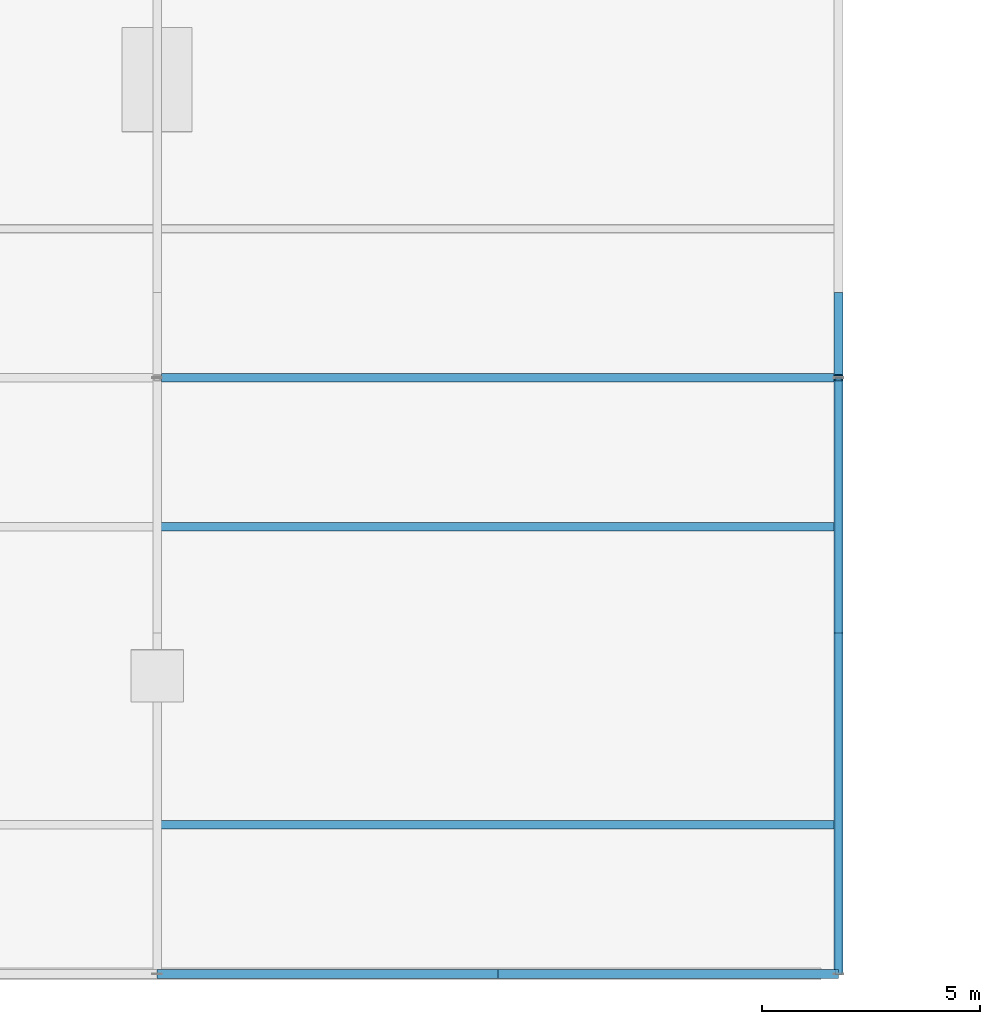
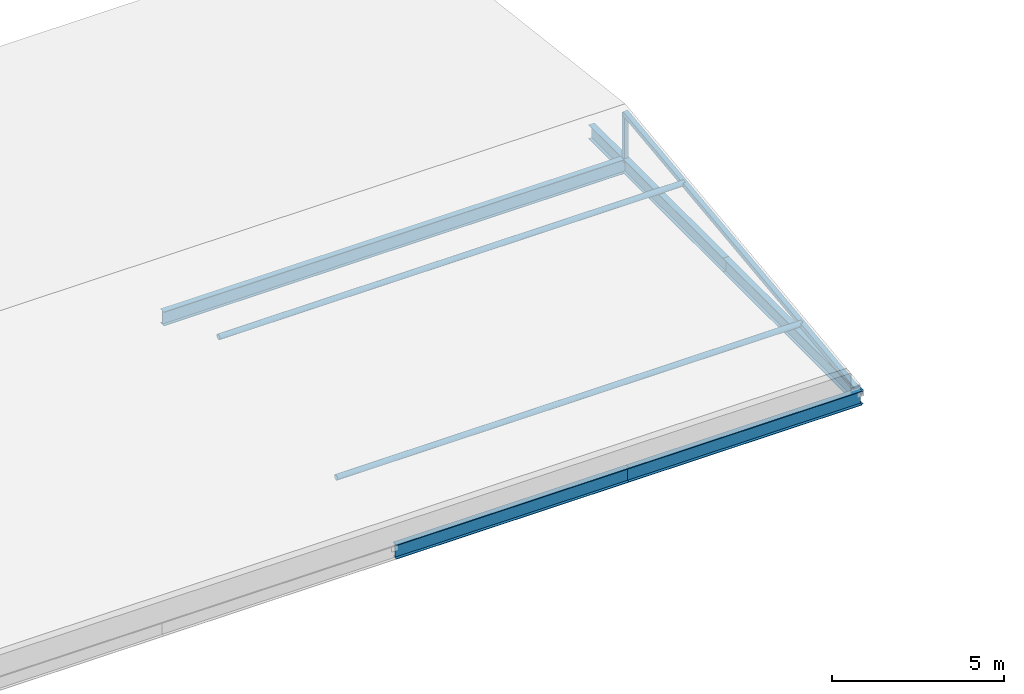
# One storey, part 3 of 21: 5 beams, 4 members.
"""IFC4 building model written with IfcOpenShell, lengths in metres."""

from ifc_helpers import new_model, si_unit, direction, frame, origin, origin_2d, place, context, subcontext, project, spatial, hollow_rectangle, hollow_circle, i_section, extrude, material, material_profile, profile_set, type_object, element, save


model = new_model("IFC4")

# Units and contexts
model_context = context("Model", 3, precision=1e-05, world=origin(), true_north=direction((0.0, 1.0)))
body_context = subcontext(model_context, "Body", "Model", "MODEL_VIEW")
ifc_project = project(units=[si_unit("LENGTHUNIT", "METRE"), si_unit("AREAUNIT", "SQUARE_METRE"), si_unit("VOLUMEUNIT", "CUBIC_METRE"), si_unit("PLANEANGLEUNIT", "RADIAN"), si_unit("MASSUNIT", "GRAM", prefix="KILO")], contexts=[model_context])

# Site, building, storey
site_placement = place(None, origin())
site = spatial("IfcSite", under=ifc_project, at=site_placement, CompositionType="ELEMENT")
building_placement = place(site_placement, origin())
building = spatial("IfcBuilding", under=site, at=building_placement, Name="Celorna Specialist Clinic", CompositionType="ELEMENT")
storey_placement = place(building_placement, frame((0.0, 0.0, 23.10009765625)))
storey = spatial("IfcBuildingStorey", under=building, at=storey_placement, Name="L05", CompositionType="ELEMENT", Elevation=23.10009765625)

# Beams
ifc_material = material(Name="Steel S355", Category="steel")
ifc_material_profile_1 = material_profile(ifc_material, i_section(OverallWidth=0.199951171875, OverallDepth=0.5, WebThickness=0.01025390625, FlangeThickness=0.01611328125, at=origin_2d()), Name="IPE 500")
ifc_profile_set_1 = profile_set([ifc_material_profile_1], Name="Steel S355")
beam_type = type_object("IfcBeamType", Name="BM-08", PredefinedType="BEAM", material=ifc_profile_set_1)
beam_1_placement = place(storey_placement, frame((15.695068359375, 13.64990234375, -0.35009765625), z_axis=(1.0, 0.0, 0.0), x_axis=(0.0, 1.0, 0.0)))
element("IfcBeam", 1, at=beam_1_placement, inside=storey, type_object=beam_type, Name="V5 roof ridge support girder", PredefinedType="BEAM", context=body_context, shape_type="SweptSolid", body=[
    extrude(i_section(OverallWidth=0.199951171875, OverallDepth=0.5, WebThickness=0.01025390625, FlangeThickness=0.01611328125, at=origin_2d()), origin(), (0.0, 0.0, 1.0), 15.5048828125),
])
for number, where, z_axis, x_axis, name in (
    (2, (31.199951171875, 0.0, -0.35009765625), (0.0, 1.0, 0.0), (-1.0, 0.0, 0.0), "V5 roof transverse girder"),
    (3, (31.199951171875, 7.800048828125, -0.35009765625), (0.0, 1.0, 0.0), (-1.0, 0.0, 0.0), "V5 roof transverse girder"),
):
    element("IfcBeam", number, at=place(storey_placement, frame(where, z_axis=z_axis, x_axis=x_axis)), inside=storey, type_object=beam_type, Name=name, PredefinedType="BEAM", context=body_context, shape_type="SweptSolid", body=[
        extrude(i_section(OverallWidth=0.199951171875, OverallDepth=0.5, WebThickness=0.01025390625, FlangeThickness=0.01611328125, at=origin_2d()), origin(), (0.0, 0.0, 1.0), 7.800048828125),
    ])
beam_2_placement = place(storey_placement, frame((15.60009765625, 0.0, -0.300048828125), z_axis=(1.0, 0.0, 0.0), x_axis=(0.0, 1.0, 0.0)))
element("IfcBeam", 4, at=beam_2_placement, inside=storey, type_object=beam_type, Name="V5 roof perimeter girder X=15.6", PredefinedType="BEAM", context=body_context, shape_type="SweptSolid", body=[
    extrude(i_section(OverallWidth=0.199951171875, OverallDepth=0.5, WebThickness=0.01025390625, FlangeThickness=0.01611328125, at=origin_2d()), origin(), (0.0, 0.0, 1.0), 7.7998046875),
])
beam_3_placement = place(storey_placement, frame((23.39990234375, 0.0, -0.300048828125), z_axis=(1.0, 0.0, 0.0), x_axis=(0.0, 1.0, 0.0)))
element("IfcBeam", 5, at=beam_3_placement, inside=storey, type_object=beam_type, Name="V5 roof perimeter girder X=23.4", PredefinedType="BEAM", context=body_context, shape_type="SweptSolid", body=[
    extrude(i_section(OverallWidth=0.199951171875, OverallDepth=0.5, WebThickness=0.01025390625, FlangeThickness=0.01611328125, at=origin_2d()), origin(), (0.0, 0.0, 1.0), 7.800048828125),
])

# Members
ifc_material_profile_2 = material_profile(ifc_material, hollow_circle(Radius=0.096923828125, WallThickness=0.010009765625, at=origin_2d()), Name="CHS 193.7x10")
ifc_profile_set_2 = profile_set([ifc_material_profile_2], Name="Steel S355")
member_type_1 = type_object("IfcMemberType", Name="MB-04", PredefinedType="PURLIN", material=ifc_profile_set_2)
for number, where, z_axis, x_axis, name in (
    (6, (15.60009765625, 3.41259765625, 0.225341796875), (1.0, 0.0, 0.0), (0.0, 1.0, 0.0), "Roof purlin WP-333-WP-334"),
    (7, (15.60009765625, 10.237548828125, 1.060302734375), (1.0, 0.0, 0.0), (0.0, 1.0, 0.0), "Roof purlin WP-336-WP-337"),
):
    element("IfcMember", number, at=place(storey_placement, frame(where, z_axis=z_axis, x_axis=x_axis)), inside=storey, type_object=member_type_1, Name=name, PredefinedType="PURLIN", context=body_context, shape_type="SweptSolid", body=[
        extrude(hollow_circle(Radius=0.096923828125, WallThickness=0.010009765625, at=origin_2d()), origin(), (0.0, 0.0, 1.0), 15.599853515625),
    ])
ifc_material_profile_3 = material_profile(ifc_material, hollow_rectangle(XDim=0.159912109375, YDim=0.159912109375, WallThickness=0.010009765625, at=origin_2d()), Name="SHS 160x160x10")
ifc_profile_set_3 = profile_set([ifc_material_profile_3], Name="Steel S355")
member_type_2 = type_object("IfcMemberType", Name="MB-09", PredefinedType="CHORD", material=ifc_profile_set_3)
member_1_placement = place(storey_placement, frame((31.199951171875, 0.0, -0.2021484375), z_axis=(0.0, 0.992597355825, 0.121451592044), x_axis=(-1.0, 0.0, 0.0)))
element("IfcMember", 8, at=member_1_placement, inside=storey, type_object=member_type_2, Name="Pitched roof rafter chord WP-330-WP-331", PredefinedType="CHORD", context=body_context, shape_type="SweptSolid", body=[
    extrude(hollow_rectangle(XDim=0.159912109375, YDim=0.159912109375, WallThickness=0.010009765625, at=origin_2d()), origin(), (0.0, 0.0, 1.0), 13.751708984375),
])
ifc_material_profile_4 = material_profile(ifc_material, hollow_rectangle(XDim=0.139892578125, YDim=0.139892578125, WallThickness=0.008056640625, at=origin_2d()), Name="SHS 140x140x8")
ifc_profile_set_4 = profile_set([ifc_material_profile_4], Name="Steel S355")
member_type_3 = type_object("IfcMemberType", Name="MB-10", PredefinedType="CHORD", material=ifc_profile_set_4)
member_2_placement = place(storey_placement, frame((31.199951171875, 13.64990234375, -0.25), z_axis=(0.0, 0.0, 1.0), x_axis=(1.0, 0.0, 0.0)))
element("IfcMember", 9, at=member_2_placement, inside=storey, type_object=member_type_3, Name="Roof ridge/eave support post ROOF-V5-SOUTH", PredefinedType="CHORD", context=body_context, shape_type="SweptSolid", body=[
    extrude(hollow_rectangle(XDim=0.139892578125, YDim=0.139892578125, WallThickness=0.008056640625, at=origin_2d()), origin(), (0.0, 0.0, 1.0), 1.718017578125),
])

save(model, "model.ifc")
